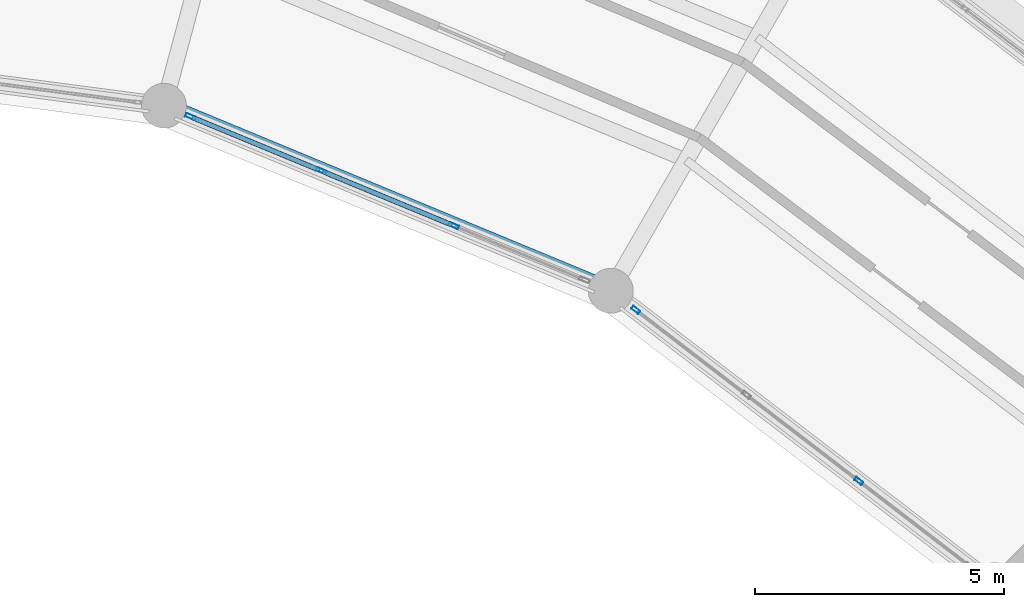
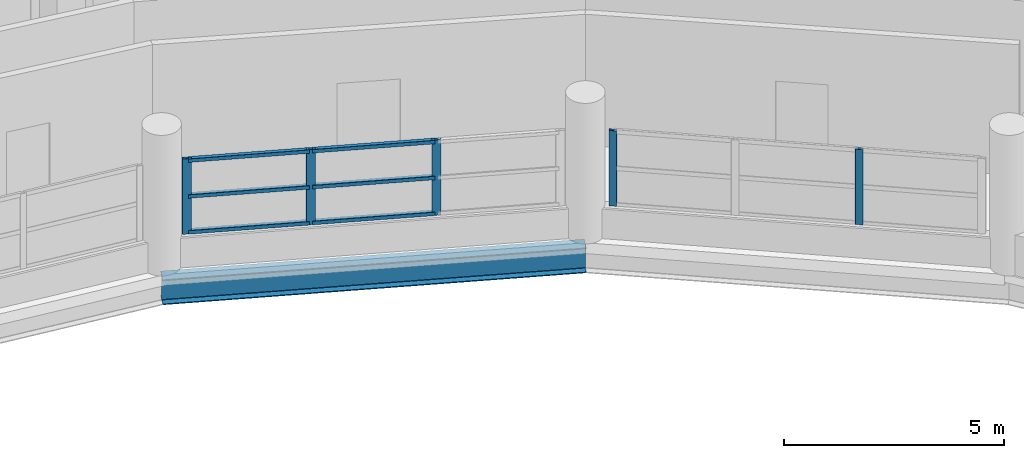
# One storey, part 43 of 88: 11 members, 1 beam, 2 elements without a shape of their own.
"""IFC4 building model written with IfcOpenShell, lengths in metres."""

from ifc_helpers import new_model, si_unit, direction, frame, origin, origin_2d, place, context, subcontext, project, spatial, hollow_rectangle, i_section, extrude, material, layer, layer_set, material_profile, profile_set, type_object, element, aggregate, save


model = new_model("IFC4")

# Units and contexts
model_context = context("Model", 3, precision=1e-05, world=origin(), true_north=direction((0.0, 1.0)))
body_context = subcontext(model_context, "Body", "Model", "MODEL_VIEW")
ifc_project = project(units=[si_unit("LENGTHUNIT", "METRE"), si_unit("AREAUNIT", "SQUARE_METRE"), si_unit("VOLUMEUNIT", "CUBIC_METRE"), si_unit("PLANEANGLEUNIT", "RADIAN"), si_unit("MASSUNIT", "GRAM", prefix="KILO")], contexts=[model_context])

# Site, building, storey
site_placement = place(None, origin())
site = spatial("IfcSite", under=ifc_project, at=site_placement, CompositionType="ELEMENT")
building_placement = place(site_placement, origin())
building = spatial("IfcBuilding", under=site, at=building_placement, Name="Vespera Passage Community Centre", CompositionType="ELEMENT")
storey_placement = place(building_placement, frame((0.0, 0.0, 16.5)))
storey = spatial("IfcBuildingStorey", under=building, at=storey_placement, Name="L04", CompositionType="ELEMENT", Elevation=16.5)

# Beam
ifc_material_1 = material(Name="Steel ASTM A992 Grade 50", Category="steel")
ifc_material_profile_1 = material_profile(ifc_material_1, i_section(OverallWidth=0.3544921875, OverallDepth=0.695556640625, WebThickness=0.015380859375, FlangeThickness=0.024658203125, FilletRadius=0.01513671875, at=origin_2d()), Name="W27X146")
ifc_profile_set_1 = profile_set([ifc_material_profile_1], Name="Steel ASTM A992 Grade 50")
beam_type = type_object("IfcBeamType", Name="BM-SP-W27X146E", PredefinedType="SPANDREL", material=ifc_profile_set_1)
beam_placement = place(storey_placement, frame((96.60009765625, 97.716064453125, -0.647705078125), z_axis=(-0.923878947685, 0.382684844258, 0.0), x_axis=(-0.382684844258, -0.923878947685, 0.0)))
element("IfcBeam", 1, at=beam_placement, inside=storey, type_object=beam_type, Name="V4 L04 Inner Spandrel 4", PredefinedType="SPANDREL", context=body_context, shape_type="SweptSolid", body=[
    extrude(i_section(OverallWidth=0.3544921875, OverallDepth=0.695556640625, WebThickness=0.015380859375, FlangeThickness=0.024658203125, FilletRadius=0.01513671875, at=origin_2d()), origin(), (0.0, 0.0, 1.0), 9.711181640625),
])

# Curtain wall, members
ifc_material_2 = material(Name="Anodized aluminium 6063-T6", Category="aluminium")
ifc_layer_1 = layer(ifc_material_2, 0.159912109375)
ifc_layer_set_1 = layer_set([ifc_layer_1], Name="Anodized aluminium 6063-T6")
curtain_wall_type_1 = type_object("IfcCurtainWallType", Name="CW-54E", PredefinedType="NOTDEFINED", material=ifc_layer_set_1)
curtain_wall_1_placement = place(storey_placement, origin())
curtain_wall_1 = element("IfcCurtainWall", 2, at=curtain_wall_1_placement, inside=storey, type_object=curtain_wall_type_1, Name="V4 L04 Inner Court Curtain Wall 3", PredefinedType="NOTDEFINED")
ifc_material_3 = material(Name="Anodized aluminium 6063-T6", Category="aluminium")
ifc_material_profile_2 = material_profile(ifc_material_3, hollow_rectangle(XDim=0.074951171875, YDim=0.179931640625, WallThickness=0.0048828125, InnerFilletRadius=0.00244140625, OuterFilletRadius=0.0048828125, at=origin_2d()), Name="ALU180X75X5")
ifc_profile_set_2 = profile_set([ifc_material_profile_2], Name="Anodized aluminium 6063-T6")
member_type_1 = type_object("IfcMemberType", Name="MB-CWM-180E", PredefinedType="MULLION", material=ifc_profile_set_2)
member_1_placement = place(storey_placement, frame((101.579345703125, 93.895263671875, 0.820068359375), z_axis=(0.0, 0.0, 1.0), x_axis=(-0.608755087843, -0.793358205999, 0.0)))
member_1 = element("IfcMember", 3, at=member_1_placement, type_object=member_type_1, Name="CW-54E mullion 2", PredefinedType="MULLION", context=body_context, shape_type="SweptSolid", body=[
    extrude(hollow_rectangle(XDim=0.074951171875, YDim=0.179931640625, WallThickness=0.0048828125, InnerFilletRadius=0.00244140625, OuterFilletRadius=0.0048828125, at=origin_2d()), origin(), (0.0, 0.0, 1.0), 2.08935546875),
])
member_2_placement = place(storey_placement, frame((97.100341796875, 97.332275390625, 0.820068359375), z_axis=(0.0, 0.0, 1.0), x_axis=(-0.608755087843, -0.793358205999, 0.0)))
member_2 = element("IfcMember", 4, at=member_2_placement, type_object=member_type_1, Name="CW-54E mullion 4", PredefinedType="MULLION", context=body_context, shape_type="SweptSolid", body=[
    extrude(hollow_rectangle(XDim=0.074951171875, YDim=0.179931640625, WallThickness=0.0048828125, InnerFilletRadius=0.00244140625, OuterFilletRadius=0.0048828125, at=origin_2d()), origin(), (0.0, 0.0, 1.0), 2.08935546875),
])
aggregate(curtain_wall_1, [member_1, member_2])

ifc_material_4 = material(Name="Anodized aluminium 6063-T6", Category="aluminium")
ifc_layer_2 = layer(ifc_material_4, 0.159912109375)
ifc_layer_set_2 = layer_set([ifc_layer_2], Name="Anodized aluminium 6063-T6")
curtain_wall_type_2 = type_object("IfcCurtainWallType", Name="CW-56E", PredefinedType="NOTDEFINED", material=ifc_layer_set_2)
curtain_wall_2_placement = place(storey_placement, origin())
curtain_wall_2 = element("IfcCurtainWall", 5, at=curtain_wall_2_placement, inside=storey, type_object=curtain_wall_type_2, Name="V4 L04 Inner Court Curtain Wall 4", PredefinedType="NOTDEFINED")
ifc_material_5 = material(Name="Anodized aluminium 6063-T6", Category="aluminium")
ifc_material_profile_3 = material_profile(ifc_material_5, hollow_rectangle(XDim=0.074951171875, YDim=0.2099609375, WallThickness=0.0048828125, InnerFilletRadius=0.00244140625, OuterFilletRadius=0.0048828125, at=origin_2d()), Name="ALU210X75X5")
ifc_profile_set_3 = profile_set([ifc_material_profile_3], Name="Anodized aluminium 6063-T6")
member_type_2 = type_object("IfcMemberType", Name="MB-CWM-210E", PredefinedType="MULLION", material=ifc_profile_set_3)
member_3_placement = place(storey_placement, frame((93.443115234375, 99.023681640625, 0.820068359375), z_axis=(0.0, 0.0, 1.0), x_axis=(-0.382690463482, -0.923876620096, 0.0)))
member_3 = element("IfcMember", 6, at=member_3_placement, type_object=member_type_2, Name="CW-56E mullion 2", PredefinedType="MULLION", context=body_context, shape_type="SweptSolid", body=[
    extrude(hollow_rectangle(XDim=0.074951171875, YDim=0.2099609375, WallThickness=0.0048828125, InnerFilletRadius=0.00244140625, OuterFilletRadius=0.0048828125, at=origin_2d()), origin(), (0.0, 0.0, 1.0), 2.08935546875),
])
member_4_placement = place(storey_placement, frame((90.784912109375, 100.124755859375, 0.820068359375), z_axis=(0.0, 0.0, 1.0), x_axis=(-0.382690463482, -0.923876620096, 0.0)))
member_4 = element("IfcMember", 7, at=member_4_placement, type_object=member_type_2, Name="CW-56E mullion 3", PredefinedType="MULLION", context=body_context, shape_type="SweptSolid", body=[
    extrude(hollow_rectangle(XDim=0.074951171875, YDim=0.2099609375, WallThickness=0.0048828125, InnerFilletRadius=0.00244140625, OuterFilletRadius=0.0048828125, at=origin_2d()), origin(), (0.0, 0.0, 1.0), 2.08935546875),
])
member_5_placement = place(storey_placement, frame((88.161376953125, 101.211669921875, 0.820068359375), z_axis=(0.0, 0.0, 1.0), x_axis=(-0.382690463482, -0.923876620096, 0.0)))
member_5 = element("IfcMember", 8, at=member_5_placement, type_object=member_type_2, Name="CW-56E mullion 4", PredefinedType="MULLION", context=body_context, shape_type="SweptSolid", body=[
    extrude(hollow_rectangle(XDim=0.074951171875, YDim=0.2099609375, WallThickness=0.0048828125, InnerFilletRadius=0.00244140625, OuterFilletRadius=0.0048828125, at=origin_2d()), origin(), (0.0, 0.0, 1.0), 2.08935546875),
])
ifc_material_6 = material(Name="Anodized aluminium 6063-T6", Category="aluminium")
ifc_material_profile_4 = material_profile(ifc_material_6, hollow_rectangle(XDim=0.10009765625, YDim=0.10009765625, WallThickness=0.00390625, InnerFilletRadius=0.001953125, OuterFilletRadius=0.00390625, at=origin_2d()), Name="ALU100X100X4")
ifc_profile_set_4 = profile_set([ifc_material_profile_4], Name="Anodized aluminium 6063-T6")
member_type_3 = type_object("IfcMemberType", Name="MB-CWT-100E", PredefinedType="USERDEFINED", material=ifc_profile_set_4)
member_6_placement = place(storey_placement, frame((93.408447265625, 99.0380859375, 0.8701171875), z_axis=(-0.923889408399, 0.382659588994, 0.0), x_axis=(-0.382659588994, -0.923889408399, 0.0)))
member_6 = element("IfcMember", 9, at=member_6_placement, type_object=member_type_3, Name="CW-56E transom 2.1", ObjectType="TRANSOM", PredefinedType="USERDEFINED", context=body_context, shape_type="SweptSolid", body=[
    extrude(hollow_rectangle(XDim=0.10009765625, YDim=0.10009765625, WallThickness=0.00390625, InnerFilletRadius=0.001953125, OuterFilletRadius=0.00390625, at=origin_2d()), origin(), (0.0, 0.0, 1.0), 2.80224609375),
])
member_7_placement = place(storey_placement, frame((93.408447265625, 99.0380859375, 1.86474609375), z_axis=(-0.923889408399, 0.382659588994, 0.0), x_axis=(-0.382659588994, -0.923889408399, 0.0)))
member_7 = element("IfcMember", 10, at=member_7_placement, type_object=member_type_3, Name="CW-56E transom 2.2", ObjectType="TRANSOM", PredefinedType="USERDEFINED", context=body_context, shape_type="SweptSolid", body=[
    extrude(hollow_rectangle(XDim=0.10009765625, YDim=0.10009765625, WallThickness=0.00390625, InnerFilletRadius=0.001953125, OuterFilletRadius=0.00390625, at=origin_2d()), origin(), (0.0, 0.0, 1.0), 2.80224609375),
])
member_8_placement = place(storey_placement, frame((93.408447265625, 99.0380859375, 2.859375), z_axis=(-0.923889408399, 0.382659588994, 0.0), x_axis=(-0.382659588994, -0.923889408399, 0.0)))
member_8 = element("IfcMember", 11, at=member_8_placement, type_object=member_type_3, Name="CW-56E transom 2.3", ObjectType="TRANSOM", PredefinedType="USERDEFINED", context=body_context, shape_type="SweptSolid", body=[
    extrude(hollow_rectangle(XDim=0.10009765625, YDim=0.10009765625, WallThickness=0.00390625, InnerFilletRadius=0.001953125, OuterFilletRadius=0.00390625, at=origin_2d()), origin(), (0.0, 0.0, 1.0), 2.80224609375),
])
member_9_placement = place(storey_placement, frame((90.750244140625, 100.13916015625, 0.8701171875), z_axis=(-0.923863992677, 0.382720946689, 0.0), x_axis=(-0.382720946689, -0.923863992677, 0.0)))
member_9 = element("IfcMember", 12, at=member_9_placement, type_object=member_type_3, Name="CW-56E transom 3.1", ObjectType="TRANSOM", PredefinedType="USERDEFINED", context=body_context, shape_type="SweptSolid", body=[
    extrude(hollow_rectangle(XDim=0.10009765625, YDim=0.10009765625, WallThickness=0.00390625, InnerFilletRadius=0.001953125, OuterFilletRadius=0.00390625, at=origin_2d()), origin(), (0.0, 0.0, 1.0), 2.7646484375),
])
member_10_placement = place(storey_placement, frame((90.750244140625, 100.13916015625, 1.86474609375), z_axis=(-0.923863992677, 0.382720946689, 0.0), x_axis=(-0.382720946689, -0.923863992677, 0.0)))
member_10 = element("IfcMember", 13, at=member_10_placement, type_object=member_type_3, Name="CW-56E transom 3.2", ObjectType="TRANSOM", PredefinedType="USERDEFINED", context=body_context, shape_type="SweptSolid", body=[
    extrude(hollow_rectangle(XDim=0.10009765625, YDim=0.10009765625, WallThickness=0.00390625, InnerFilletRadius=0.001953125, OuterFilletRadius=0.00390625, at=origin_2d()), origin(), (0.0, 0.0, 1.0), 2.7646484375),
])
member_11_placement = place(storey_placement, frame((90.750244140625, 100.13916015625, 2.859375), z_axis=(-0.923863992677, 0.382720946689, 0.0), x_axis=(-0.382720946689, -0.923863992677, 0.0)))
member_11 = element("IfcMember", 14, at=member_11_placement, type_object=member_type_3, Name="CW-56E transom 3.3", ObjectType="TRANSOM", PredefinedType="USERDEFINED", context=body_context, shape_type="SweptSolid", body=[
    extrude(hollow_rectangle(XDim=0.10009765625, YDim=0.10009765625, WallThickness=0.00390625, InnerFilletRadius=0.001953125, OuterFilletRadius=0.00390625, at=origin_2d()), origin(), (0.0, 0.0, 1.0), 2.7646484375),
])
aggregate(curtain_wall_2, [member_3, member_4, member_5, member_6, member_7, member_8, member_9, member_10, member_11])

save(model, "model.ifc")
